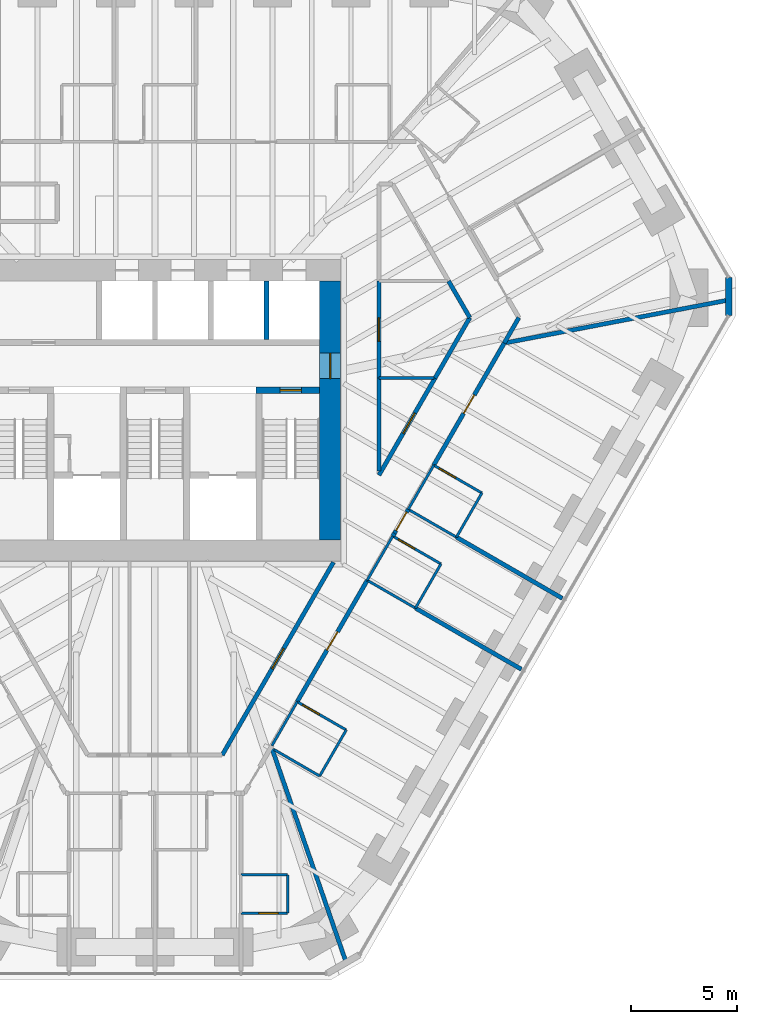
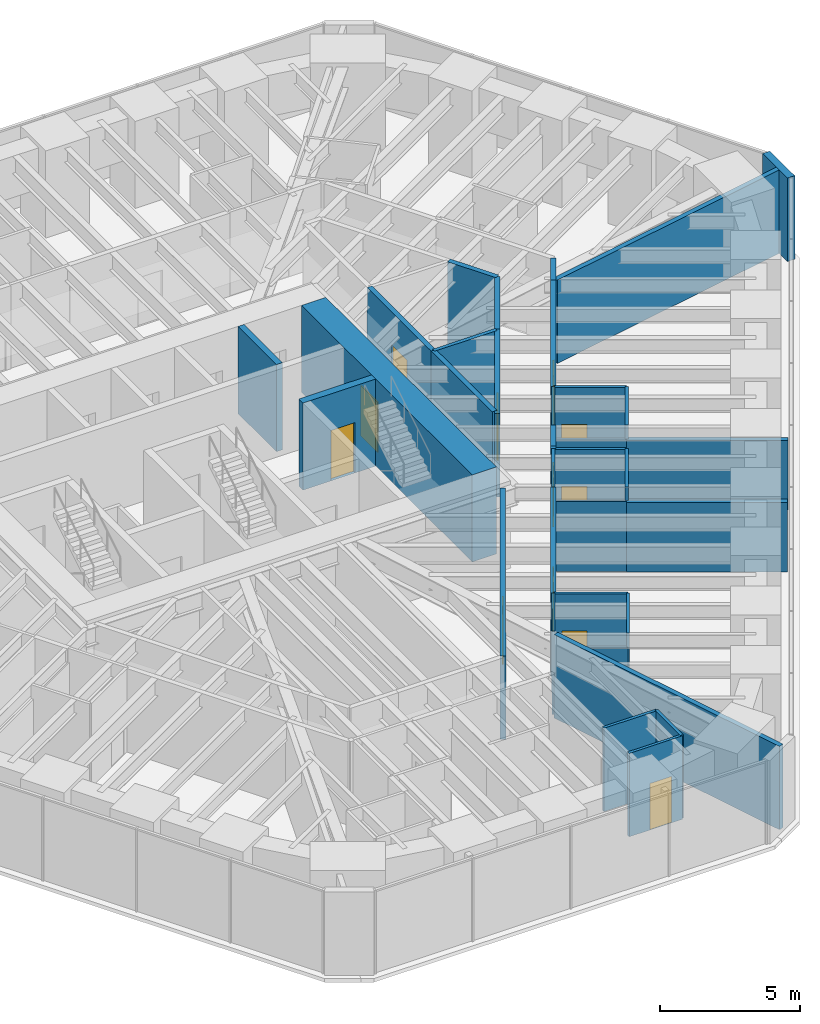
# One storey, part 13 of 16: 35 walls, 12 doors, 12 openings.
"""IFC4 building model written with IfcOpenShell, lengths in metres."""

from ifc_helpers import new_model, si_unit, direction, frame, frame_2d, origin, place, context, subcontext, project, spatial, rectangle, extrude, material, layer, layer_set, type_object, element, fill, save


model = new_model("IFC4")

# Units and contexts
model_context = context("Model", 3, precision=1e-05, world=origin(), true_north=direction((0.0, 1.0)))
body_context = subcontext(model_context, "Body", "Model", "MODEL_VIEW")
ifc_project = project(units=[si_unit("LENGTHUNIT", "METRE"), si_unit("AREAUNIT", "SQUARE_METRE"), si_unit("VOLUMEUNIT", "CUBIC_METRE"), si_unit("PLANEANGLEUNIT", "RADIAN"), si_unit("MASSUNIT", "GRAM", prefix="KILO")], contexts=[model_context])

# Site, building, storey
site_placement = place(None, origin())
site = spatial("IfcSite", under=ifc_project, at=site_placement, CompositionType="ELEMENT")
building_placement = place(site_placement, origin())
building = spatial("IfcBuilding", under=site, at=building_placement, Name="Sandreach Pilgrim Tower", CompositionType="ELEMENT")
storey_placement = place(building_placement, frame((0.0, 0.0, 183.199951171875)))
storey = spatial("IfcBuildingStorey", under=building, at=storey_placement, Name="L45", CompositionType="ELEMENT", Elevation=183.199951171875)

# Wall
ifc_material_1 = material(Name="Gypsum board on steel studs", Category="steel")
ifc_layer_1 = layer(ifc_material_1, 0.14990234375)
ifc_layer_set_1 = layer_set([ifc_layer_1], Name="Back of house wall 150")
wall_type_1 = type_object("IfcWallType", Name="Back of house wall 150", PredefinedType="PARTITIONING", material=ifc_layer_set_1)
wall_1_placement = place(storey_placement, frame((10.550048828125, 1.52001953125, 0.0), z_axis=(0.0, 0.0, 1.0), x_axis=(1.0, 0.0, 0.0)))
element("IfcWall", 1, at=wall_1_placement, inside=storey, type_object=wall_type_1, Name="Back of house wall L45-108", PredefinedType="PARTITIONING", context=body_context, shape_type="SweptSolid", body=[
    extrude(rectangle(XDim=2.5849609375, YDim=0.14990234375, at=frame_2d((1.29248046875, 0.0))), origin(), (0.0, 0.0, 1.0), 3.64013671875),
])

# Wall, opening, door
ifc_material_2 = material(Name="Moisture-resistant gypsum board on steel studs", Category="steel")
ifc_layer_2 = layer(ifc_material_2, 0.1201171875)
ifc_layer_set_2 = layer_set([ifc_layer_2], Name="Bathroom partition 120")
wall_type_2 = type_object("IfcWallType", Name="Bathroom partition 120", PredefinedType="PARTITIONING", material=ifc_layer_set_2)
wall_2_placement = place(storey_placement, frame((4.050048828125, -23.679931640625, 0.0), z_axis=(0.0, 0.0, 1.0), x_axis=(1.0, 0.0, 0.0)))
wall_2 = element("IfcWall", 2, at=wall_2_placement, inside=storey, type_object=wall_type_2, Name="Bathroom partition L45-089", PredefinedType="PARTITIONING", context=body_context, shape_type="SweptSolid", body=[
    extrude(rectangle(XDim=2.199951171875, YDim=0.1201171875, at=frame_2d((1.10009765625, 0.0))), origin(), (0.0, 0.0, 1.0), 3.64013671875),
])
opening_1_placement = place(wall_2_placement, frame((0.85009765625, 0.0, 0.0)))
opening_1 = element("IfcOpeningElement", 3, at=opening_1_placement, cuts=wall_2, Name="Opening D09-09B", PredefinedType="OPENING", context=body_context, shape_type="SweptSolid", body=[
    extrude(rectangle(XDim=0.89990234375, YDim=2.030029296875, at=frame_2d((0.449951171875, 1.01513671875))), frame((0.0, 0.06005859375, 0.0), z_axis=(0.0, -1.0, 0.0), x_axis=(1.0, 0.0, 0.0)), (0.0, 0.0, 1.0), 0.1201171875),
])
ifc_material_3 = material(Name="Timber door, steel frame", Category="steel")
door_type_1 = type_object("IfcDoorType", Name="Bathroom door", OperationType="SINGLE_SWING_LEFT", PredefinedType="DOOR", material=ifc_material_3)
door_1_placement = place(opening_1_placement, origin())
door_1 = element("IfcDoor", 4, at=door_1_placement, inside=storey, type_object=door_type_1, Name="Door 4509B", OperationType="SINGLE_SWING_RIGHT", OverallHeight=2.030029296875, OverallWidth=0.89990234375, PredefinedType="DOOR", context=body_context, shape_type="SweptSolid", body=[
    extrude(rectangle(XDim=0.89990234375, YDim=2.030029296875, at=frame_2d((0.449951171875, 1.01513671875))), frame((0.0, 0.02490234375, 0.0), z_axis=(0.0, -1.0, 0.0), x_axis=(1.0, 0.0, 0.0)), (0.0, 0.0, 1.0), 0.050048828125),
])
fill(opening_1, door_1)

# Walls
wall_3_placement = place(storey_placement, frame((5.510009765625, -15.7900390625, 0.0), z_axis=(0.0, 0.0, 1.0), x_axis=(0.49836161924, 0.866969259241, 0.0)))
element("IfcWall", 5, at=wall_3_placement, inside=storey, type_object=wall_type_2, Name="Bathroom partition L45-093", PredefinedType="PARTITIONING", context=body_context, shape_type="SweptSolid", body=[
    extrude(rectangle(XDim=2.3876953125, YDim=0.1201171875, at=frame_2d((1.19384765625, 0.0))), origin(), (0.0, 0.0, 1.0), 3.64013671875),
])
wall_4_placement = place(storey_placement, frame((5.615234375, -15.97509765625, 0.0), z_axis=(0.0, 0.0, 1.0), x_axis=(0.864873056518, -0.501990633487, 0.0)))
element("IfcWall", 6, at=wall_4_placement, inside=storey, type_object=wall_type_2, Name="Bathroom partition L45-095", PredefinedType="PARTITIONING", context=body_context, shape_type="SweptSolid", body=[
    extrude(rectangle(XDim=2.47998046875, YDim=0.1201171875, at=frame_2d((1.239990234375, 0.0))), origin(), (0.0, 0.0, 1.0), 3.0380859375),
])
wall_5_placement = place(storey_placement, frame((6.25, -23.679931640625, 0.0), z_axis=(0.0, 0.0, 1.0), x_axis=(0.0, 1.0, 0.0)))
element("IfcWall", 7, at=wall_5_placement, inside=storey, type_object=wall_type_2, Name="Bathroom partition L45-096", PredefinedType="PARTITIONING", context=body_context, shape_type="SweptSolid", body=[
    extrude(rectangle(XDim=1.809814453125, YDim=0.1201171875, at=frame_2d((0.90478515625, 0.0))), origin(), (0.0, 0.0, 1.0), 3.64013671875),
])
wall_6_placement = place(storey_placement, frame((6.25, -21.8701171875, 0.0), z_axis=(0.0, 0.0, 1.0), x_axis=(-1.0, 0.0, 0.0)))
element("IfcWall", 8, at=wall_6_placement, inside=storey, type_object=wall_type_2, Name="Bathroom partition L45-097", PredefinedType="PARTITIONING", context=body_context, shape_type="SweptSolid", body=[
    extrude(rectangle(XDim=2.199951171875, YDim=0.1201171875, at=frame_2d((1.10009765625, 0.0))), origin(), (0.0, 0.0, 1.0), 3.64013671875),
])
wall_7_placement = place(storey_placement, frame((7.760009765625, -17.219970703125, 0.0), z_axis=(0.0, 0.0, 1.0), x_axis=(0.499159685399, 0.866510016372, 0.0)))
element("IfcWall", 9, at=wall_7_placement, inside=storey, type_object=wall_type_2, Name="Bathroom partition L45-099", PredefinedType="PARTITIONING", context=body_context, shape_type="SweptSolid", body=[
    extrude(rectangle(XDim=2.504150390625, YDim=0.1201171875, at=frame_2d((1.251953125, 0.0))), origin(), (0.0, 0.0, 1.0), 3.64013671875),
])

# Wall, opening, door
wall_8_placement = place(storey_placement, frame((9.010009765625, -15.050048828125, 0.0), z_axis=(0.0, 0.0, 1.0), x_axis=(-0.866615255992, 0.498976951453, 0.0)))
wall_8 = element("IfcWall", 10, at=wall_8_placement, inside=storey, type_object=wall_type_2, Name="Bathroom partition L45-103", PredefinedType="PARTITIONING", context=body_context, shape_type="SweptSolid", body=[
    extrude(rectangle(XDim=2.66552734375, YDim=0.1201171875, at=frame_2d((1.332763671875, 0.0))), origin(), (0.0, 0.0, 1.0), 3.64013671875),
])
opening_2_placement = place(wall_8_placement, frame((1.465576171875, 0.0, 0.0)))
opening_2 = element("IfcOpeningElement", 11, at=opening_2_placement, cuts=wall_8, Name="Opening D09-08B", PredefinedType="OPENING", context=body_context, shape_type="SweptSolid", body=[
    extrude(rectangle(XDim=0.89990234375, YDim=2.030029296875, at=frame_2d((0.449951171875, 1.01513671875))), frame((0.0, 0.06005859375, 0.0), z_axis=(0.0, -1.0, 0.0), x_axis=(1.0, 0.0, 0.0)), (0.0, 0.0, 1.0), 0.1201171875),
])
door_2_placement = place(opening_2_placement, origin())
door_2 = element("IfcDoor", 12, at=door_2_placement, inside=storey, type_object=door_type_1, Name="Door 4508B", OperationType="SINGLE_SWING_RIGHT", OverallHeight=2.030029296875, OverallWidth=0.89990234375, PredefinedType="DOOR", context=body_context, shape_type="SweptSolid", body=[
    extrude(rectangle(XDim=0.89990234375, YDim=2.030029296875, at=frame_2d((0.449951171875, 1.01513671875))), frame((0.0, 0.02490234375, 0.0), z_axis=(0.0, -1.0, 0.0), x_axis=(1.0, 0.0, 0.0)), (0.0, 0.0, 1.0), 0.050048828125),
])
fill(opening_2, door_2)

# Walls
wall_9_placement = place(storey_placement, frame((9.996337890625, -7.998046875, 0.0), z_axis=(0.0, 0.0, 1.0), x_axis=(0.501188543314, 0.865338109672, 0.0)))
element("IfcWall", 13, at=wall_9_placement, inside=storey, type_object=wall_type_2, Name="Bathroom partition L45-104", PredefinedType="PARTITIONING", context=body_context, shape_type="SweptSolid", body=[
    extrude(rectangle(XDim=2.401611328125, YDim=0.1201171875, at=frame_2d((1.20068359375, 0.0))), origin(), (0.0, 0.0, 1.0), 3.64013671875),
])
wall_10_placement = place(storey_placement, frame((10.0, -8.0, 0.0), z_axis=(0.0, 0.0, 1.0), x_axis=(0.866010296064, -0.500026166427, 0.0)))
element("IfcWall", 14, at=wall_10_placement, inside=storey, type_object=wall_type_2, Name="Bathroom partition L45-105", PredefinedType="PARTITIONING", context=body_context, shape_type="SweptSolid", body=[
    extrude(rectangle(XDim=2.620849609375, YDim=0.1201171875, at=frame_2d((1.310546875, 0.0))), origin(), (0.0, 0.0, 1.0), 3.0380859375),
])
wall_11_placement = place(storey_placement, frame((11.929931640625, -4.659912109375, 0.0), z_axis=(0.0, 0.0, 1.0), x_axis=(0.499737123639, 0.866177122335, 0.0)))
element("IfcWall", 15, at=wall_11_placement, inside=storey, type_object=wall_type_2, Name="Bathroom partition L45-121", PredefinedType="PARTITIONING", context=body_context, shape_type="SweptSolid", body=[
    extrude(rectangle(XDim=2.401123046875, YDim=0.1201171875, at=frame_2d((1.20068359375, 0.0))), origin(), (0.0, 0.0, 1.0), 3.64013671875),
])
wall_12_placement = place(storey_placement, frame((11.929931640625, -4.659912109375, 0.0), z_axis=(0.0, 0.0, 1.0), x_axis=(0.865969958829, -0.500096021185, 0.0)))
element("IfcWall", 16, at=wall_12_placement, inside=storey, type_object=wall_type_2, Name="Bathroom partition L45-122", PredefinedType="PARTITIONING", context=body_context, shape_type="SweptSolid", body=[
    extrude(rectangle(XDim=2.62109375, YDim=0.1201171875, at=frame_2d((1.310546875, 0.0))), origin(), (0.0, 0.0, 1.0), 3.0380859375),
])
wall_13_placement = place(storey_placement, frame((12.27001953125, -9.31005859375, 0.0), z_axis=(0.0, 0.0, 1.0), x_axis=(0.499693115345, 0.866202511239, 0.0)))
element("IfcWall", 17, at=wall_13_placement, inside=storey, type_object=wall_type_2, Name="Bathroom partition L45-124", PredefinedType="PARTITIONING", context=body_context, shape_type="SweptSolid", body=[
    extrude(rectangle(XDim=2.4013671875, YDim=0.1201171875, at=frame_2d((1.20068359375, 0.0))), origin(), (0.0, 0.0, 1.0), 3.64013671875),
])

# Wall, opening, door
wall_14_placement = place(storey_placement, frame((13.469970703125, -7.22998046875, 0.0), z_axis=(0.0, 0.0, 1.0), x_axis=(-0.866114241029, 0.499846097802, 0.0)))
wall_14 = element("IfcWall", 18, at=wall_14_placement, inside=storey, type_object=wall_type_2, Name="Bathroom partition L45-129", PredefinedType="PARTITIONING", context=body_context, shape_type="SweptSolid", body=[
    extrude(rectangle(XDim=2.620849609375, YDim=0.1201171875, at=frame_2d((1.310546875, 0.0))), origin(), (0.0, 0.0, 1.0), 3.64013671875),
])
opening_3_placement = place(wall_14_placement, frame((1.4208984375, 0.0, 0.0)))
opening_3 = element("IfcOpeningElement", 19, at=opening_3_placement, cuts=wall_14, Name="Opening D09-07B", PredefinedType="OPENING", context=body_context, shape_type="SweptSolid", body=[
    extrude(rectangle(XDim=0.89990234375, YDim=2.030029296875, at=frame_2d((0.449951171875, 1.01513671875))), frame((0.0, 0.06005859375, 0.0), z_axis=(0.0, -1.0, 0.0), x_axis=(1.0, 0.0, 0.0)), (0.0, 0.0, 1.0), 0.1201171875),
])
door_3_placement = place(opening_3_placement, origin())
door_3 = element("IfcDoor", 20, at=door_3_placement, inside=storey, type_object=door_type_1, Name="Door 4507B", OperationType="SINGLE_SWING_RIGHT", OverallHeight=2.030029296875, OverallWidth=0.89990234375, PredefinedType="DOOR", context=body_context, shape_type="SweptSolid", body=[
    extrude(rectangle(XDim=0.89990234375, YDim=2.030029296875, at=frame_2d((0.449951171875, 1.01513671875))), frame((0.0, 0.02490234375, 0.0), z_axis=(0.0, -1.0, 0.0), x_axis=(1.0, 0.0, 0.0)), (0.0, 0.0, 1.0), 0.050048828125),
])
fill(opening_3, door_3)

# Wall
wall_15_placement = place(storey_placement, frame((14.199951171875, -5.969970703125, 0.0), z_axis=(0.0, 0.0, 1.0), x_axis=(0.499737123639, 0.866177122335, 0.0)))
element("IfcWall", 21, at=wall_15_placement, inside=storey, type_object=wall_type_2, Name="Bathroom partition L45-134", PredefinedType="PARTITIONING", context=body_context, shape_type="SweptSolid", body=[
    extrude(rectangle(XDim=2.401123046875, YDim=0.1201171875, at=frame_2d((1.20068359375, 0.0))), origin(), (0.0, 0.0, 1.0), 3.64013671875),
])

# Wall, opening, door
wall_16_placement = place(storey_placement, frame((15.39990234375, -3.889892578125, 0.0), z_axis=(0.0, 0.0, 1.0), x_axis=(-0.866154567199, 0.49977621564, 0.0)))
wall_16 = element("IfcWall", 22, at=wall_16_placement, inside=storey, type_object=wall_type_2, Name="Bathroom partition L45-140", PredefinedType="PARTITIONING", context=body_context, shape_type="SweptSolid", body=[
    extrude(rectangle(XDim=2.620849609375, YDim=0.1201171875, at=frame_2d((1.310546875, 0.0))), origin(), (0.0, 0.0, 1.0), 3.64013671875),
])
opening_4_placement = place(wall_16_placement, frame((1.4208984375, 0.0, 0.0)))
opening_4 = element("IfcOpeningElement", 23, at=opening_4_placement, cuts=wall_16, Name="Opening D09-06B", PredefinedType="OPENING", context=body_context, shape_type="SweptSolid", body=[
    extrude(rectangle(XDim=0.89990234375, YDim=2.030029296875, at=frame_2d((0.449951171875, 1.01513671875))), frame((0.0, 0.06005859375, 0.0), z_axis=(0.0, -1.0, 0.0), x_axis=(1.0, 0.0, 0.0)), (0.0, 0.0, 1.0), 0.1201171875),
])
door_4_placement = place(opening_4_placement, origin())
door_4 = element("IfcDoor", 24, at=door_4_placement, inside=storey, type_object=door_type_1, Name="Door 4506B", OperationType="SINGLE_SWING_RIGHT", OverallHeight=2.030029296875, OverallWidth=0.89990234375, PredefinedType="DOOR", context=body_context, shape_type="SweptSolid", body=[
    extrude(rectangle(XDim=0.89990234375, YDim=2.030029296875, at=frame_2d((0.449951171875, 1.01513671875))), frame((0.0, 0.02490234375, 0.0), z_axis=(0.0, -1.0, 0.0), x_axis=(1.0, 0.0, 0.0)), (0.0, 0.0, 1.0), 0.050048828125),
])
fill(opening_4, door_4)

ifc_material_4 = material(Name="Concrete 10000 psi", Category="concrete")
ifc_layer_3 = layer(ifc_material_4, 0.300048828125)
ifc_layer_set_3 = layer_set([ifc_layer_3], Name="Core inner wall 300")
wall_type_3 = type_object("IfcWallType", Name="Core inner wall 300", PredefinedType="SHEAR", material=ifc_layer_set_3)
wall_17_placement = place(storey_placement, frame((4.75, 0.949951171875, 0.0), z_axis=(0.0, 0.0, 1.0), x_axis=(1.0, 0.0, 0.0)))
wall_17 = element("IfcWall", 25, at=wall_17_placement, inside=storey, type_object=wall_type_3, Name="Core wall SN2 L45", PredefinedType="SHEAR", context=body_context, shape_type="SweptSolid", body=[
    extrude(rectangle(XDim=3.0, YDim=0.300048828125, at=frame_2d((1.5, 0.0))), origin(), (0.0, 0.0, 1.0), 3.800048828125),
])
opening_5_placement = place(wall_17_placement, frame((1.14990234375, 0.0, 0.0)))
opening_5 = element("IfcOpeningElement", 26, at=opening_5_placement, cuts=wall_17, Name="Opening D10S-ST2", PredefinedType="OPENING", context=body_context, shape_type="SweptSolid", body=[
    extrude(rectangle(XDim=1.0, YDim=2.199951171875, at=frame_2d((0.5, 1.10009765625))), frame((0.0, 0.14990234375, 0.0), z_axis=(0.0, -1.0, 0.0), x_axis=(1.0, 0.0, 0.0)), (0.0, 0.0, 1.0), 0.300048828125),
])
ifc_material_5 = material(Name="Steel door and frame", Category="steel")
door_type_2 = type_object("IfcDoorType", Name="Stair door", OperationType="SINGLE_SWING_LEFT", PredefinedType="DOOR", material=ifc_material_5)
door_5_placement = place(opening_5_placement, origin())
door_5 = element("IfcDoor", 27, at=door_5_placement, inside=storey, type_object=door_type_2, Name="Stair door ST2 L45", OperationType="SINGLE_SWING_RIGHT", OverallHeight=2.199951171875, OverallWidth=1.0, PredefinedType="DOOR", context=body_context, shape_type="SweptSolid", body=[
    extrude(rectangle(XDim=1.0, YDim=2.199951171875, at=frame_2d((0.5, 1.10009765625))), frame((0.0, 0.02490234375, 0.0), z_axis=(0.0, -1.0, 0.0), x_axis=(1.0, 0.0, 0.0)), (0.0, 0.0, 1.0), 0.050048828125),
])
fill(opening_5, door_5)

ifc_material_6 = material(Name="Concrete 10000 psi", Category="concrete")
ifc_layer_4 = layer(ifc_material_6, 1.0)
ifc_layer_set_4 = layer_set([ifc_layer_4], Name="Core wall 1000")
wall_type_4 = type_object("IfcWallType", Name="Core wall 1000", PredefinedType="SHEAR", material=ifc_layer_set_4)
wall_18_placement = place(storey_placement, frame((8.25, -6.10009765625, 0.0), z_axis=(0.0, 0.0, 1.0), x_axis=(0.0, 1.0, 0.0)))
wall_18 = element("IfcWall", 28, at=wall_18_placement, inside=storey, type_object=wall_type_4, Name="Core wall E L45", PredefinedType="SHEAR", context=body_context, shape_type="SweptSolid", body=[
    extrude(rectangle(XDim=12.2001953125, YDim=1.0, at=frame_2d((6.10009765625, 0.0))), origin(), (0.0, 0.0, 1.0), 3.800048828125),
])
opening_6_placement = place(wall_18_placement, frame((7.60009765625, 0.0, 0.0)))
opening_6 = element("IfcOpeningElement", 29, at=opening_6_placement, cuts=wall_18, Name="Opening D12F-E", PredefinedType="OPENING", context=body_context, shape_type="SweptSolid", body=[
    extrude(rectangle(XDim=1.199951171875, YDim=2.199951171875, at=frame_2d((0.60009765625, 1.10009765625))), frame((0.0, 0.5, 0.0), z_axis=(0.0, -1.0, 0.0), x_axis=(1.0, 0.0, 0.0)), (0.0, 0.0, 1.0), 1.0),
])
ifc_material_7 = material(Name="Steel door and frame", Category="steel")
door_type_3 = type_object("IfcDoorType", Name="Fire lobby door", OperationType="SINGLE_SWING_LEFT", PredefinedType="DOOR", material=ifc_material_7)
door_6_placement = place(opening_6_placement, origin())
door_6 = element("IfcDoor", 30, at=door_6_placement, inside=storey, type_object=door_type_3, Name="Fire service lobby door E L45", OperationType="SINGLE_SWING_RIGHT", OverallHeight=2.199951171875, OverallWidth=1.199951171875, PredefinedType="DOOR", context=body_context, shape_type="SweptSolid", body=[
    extrude(rectangle(XDim=1.199951171875, YDim=2.199951171875, at=frame_2d((0.60009765625, 1.10009765625))), frame((0.0, 0.02490234375, 0.0), z_axis=(0.0, -1.0, 0.0), x_axis=(1.0, 0.0, 0.0)), (0.0, 0.0, 1.0), 0.050048828125),
])
fill(opening_6, door_6)

ifc_material_8 = material(Name="Gypsum board on steel studs, two layers each side", Category="steel")
ifc_layer_5 = layer(ifc_material_8, 0.199951171875)
ifc_layer_set_5 = layer_set([ifc_layer_5], Name="Corridor wall 200")
wall_type_5 = type_object("IfcWallType", Name="Corridor wall 200", PredefinedType="PARTITIONING", material=ifc_layer_set_5)
wall_19_placement = place(storey_placement, frame((6.699951171875, -13.719970703125, 0.0), z_axis=(0.0, 0.0, 1.0), x_axis=(0.499729921425, 0.866181277581, 0.0)))
wall_19 = element("IfcWall", 31, at=wall_19_placement, inside=storey, type_object=wall_type_5, Name="Corridor wall L45-098", PredefinedType="PARTITIONING", context=body_context, shape_type="SweptSolid", body=[
    extrude(rectangle(XDim=6.603759765625, YDim=0.199951171875, at=frame_2d((3.3017578125, 0.0))), origin(), (0.0, 0.0, 1.0), 3.64013671875),
])
opening_7_placement = place(wall_19_placement, frame((2.8017578125, 0.0, 0.0)))
opening_7 = element("IfcOpeningElement", 32, at=opening_7_placement, cuts=wall_19, Name="Opening D10-08", PredefinedType="OPENING", context=body_context, shape_type="SweptSolid", body=[
    extrude(rectangle(XDim=1.0, YDim=2.1298828125, at=frame_2d((0.5, 1.06494140625))), frame((0.0, 0.10009765625, 0.0), z_axis=(0.0, -1.0, 0.0), x_axis=(1.0, 0.0, 0.0)), (0.0, 0.0, 1.0), 0.199951171875),
])
ifc_material_9 = material(Name="Steel door and frame", Category="steel")
door_type_4 = type_object("IfcDoorType", Name="Guest room entry door", OperationType="SINGLE_SWING_LEFT", PredefinedType="DOOR", material=ifc_material_9)
door_7_placement = place(opening_7_placement, origin())
door_7 = element("IfcDoor", 33, at=door_7_placement, inside=storey, type_object=door_type_4, Name="Door 4508", OperationType="SINGLE_SWING_LEFT", OverallHeight=2.1298828125, OverallWidth=1.0, PredefinedType="DOOR", context=body_context, shape_type="SweptSolid", body=[
    extrude(rectangle(XDim=1.0, YDim=2.1298828125, at=frame_2d((0.5, 1.06494140625))), frame((0.0, 0.02490234375, 0.0), z_axis=(0.0, -1.0, 0.0), x_axis=(1.0, 0.0, 0.0)), (0.0, 0.0, 1.0), 0.050048828125),
])
fill(opening_7, door_7)

wall_20_placement = place(storey_placement, frame((8.409912109375, -7.14990234375, 0.0), z_axis=(0.0, 0.0, 1.0), x_axis=(-0.499828628176, -0.866124322748, 0.0)))
wall_20 = element("IfcWall", 34, at=wall_20_placement, inside=storey, type_object=wall_type_5, Name="Corridor wall L45-100", PredefinedType="PARTITIONING", context=body_context, shape_type="SweptSolid", body=[
    extrude(rectangle(XDim=10.483642578125, YDim=0.199951171875, at=frame_2d((5.24169921875, 0.0))), origin(), (0.0, 0.0, 1.0), 3.64013671875),
])
opening_8_placement = place(wall_20_placement, frame((4.691650390625, 0.0, 0.0)))
opening_8 = element("IfcOpeningElement", 35, at=opening_8_placement, cuts=wall_20, Name="Opening D11H-S4", PredefinedType="OPENING", context=body_context, shape_type="SweptSolid", body=[
    extrude(rectangle(XDim=1.10009765625, YDim=2.199951171875, at=frame_2d((0.550048828125, 1.10009765625))), frame((0.0, 0.10009765625, 0.0), z_axis=(0.0, -1.0, 0.0), x_axis=(1.0, 0.0, 0.0)), (0.0, 0.0, 1.0), 0.199951171875),
])
ifc_material_10 = material(Name="Steel door and frame", Category="steel")
door_type_5 = type_object("IfcDoorType", Name="Back of house door", OperationType="SINGLE_SWING_LEFT", PredefinedType="DOOR", material=ifc_material_10)
door_8_placement = place(opening_8_placement, origin())
door_8 = element("IfcDoor", 36, at=door_8_placement, inside=storey, type_object=door_type_5, Name="Door 45S4", OperationType="SINGLE_SWING_LEFT", OverallHeight=2.199951171875, OverallWidth=1.10009765625, PredefinedType="DOOR", context=body_context, shape_type="SweptSolid", body=[
    extrude(rectangle(XDim=1.10009765625, YDim=2.199951171875, at=frame_2d((0.550048828125, 1.10009765625))), frame((0.0, 0.02490234375, 0.0), z_axis=(0.0, -1.0, 0.0), x_axis=(1.0, 0.0, 0.0)), (0.0, 0.0, 1.0), 0.050048828125),
])
fill(opening_8, door_8)

# Wall
wall_21_placement = place(storey_placement, frame((10.550048828125, -2.85498046875, 0.0), z_axis=(0.0, 0.0, 1.0), x_axis=(0.0, 1.0, 0.0)))
element("IfcWall", 37, at=wall_21_placement, inside=storey, type_object=wall_type_5, Name="Corridor wall L45-106", PredefinedType="PARTITIONING", context=body_context, shape_type="SweptSolid", body=[
    extrude(rectangle(XDim=4.375, YDim=0.199951171875, at=frame_2d((2.1875, 0.0))), origin(), (0.0, 0.0, 1.0), 3.64013671875),
])

# Wall, opening, door
wall_22_placement = place(storey_placement, frame((10.550048828125, 1.52001953125, 0.0), z_axis=(0.0, 0.0, 1.0), x_axis=(0.0, 1.0, 0.0)))
wall_22 = element("IfcWall", 38, at=wall_22_placement, inside=storey, type_object=wall_type_5, Name="Corridor wall L45-107", PredefinedType="PARTITIONING", context=body_context, shape_type="SweptSolid", body=[
    extrude(rectangle(XDim=4.570068359375, YDim=0.199951171875, at=frame_2d((2.28515625, 0.0))), origin(), (0.0, 0.0, 1.0), 3.64013671875),
])
opening_9_placement = place(wall_22_placement, frame((1.735107421875, 0.0, 0.0)))
opening_9 = element("IfcOpeningElement", 39, at=opening_9_placement, cuts=wall_22, Name="Opening D11H-M06", PredefinedType="OPENING", context=body_context, shape_type="SweptSolid", body=[
    extrude(rectangle(XDim=1.10009765625, YDim=2.199951171875, at=frame_2d((0.550048828125, 1.10009765625))), frame((0.0, 0.10009765625, 0.0), z_axis=(0.0, -1.0, 0.0), x_axis=(1.0, 0.0, 0.0)), (0.0, 0.0, 1.0), 0.199951171875),
])
door_9_placement = place(opening_9_placement, origin())
door_9 = element("IfcDoor", 40, at=door_9_placement, inside=storey, type_object=door_type_5, Name="Door 45M06", OperationType="SINGLE_SWING_LEFT", OverallHeight=2.199951171875, OverallWidth=1.10009765625, PredefinedType="DOOR", context=body_context, shape_type="SweptSolid", body=[
    extrude(rectangle(XDim=1.10009765625, YDim=2.199951171875, at=frame_2d((0.550048828125, 1.10009765625))), frame((0.0, 0.02490234375, 0.0), z_axis=(0.0, -1.0, 0.0), x_axis=(1.0, 0.0, 0.0)), (0.0, 0.0, 1.0), 0.050048828125),
])
fill(opening_9, door_9)

# Wall
wall_23_placement = place(storey_placement, frame((11.199951171875, -5.919921875, 0.0), z_axis=(0.0, 0.0, 1.0), x_axis=(0.524811420021, 0.851218522717, 0.0)))
element("IfcWall", 41, at=wall_23_placement, inside=storey, type_object=wall_type_5, Name="Corridor wall L45-117", PredefinedType="PARTITIONING", context=body_context, shape_type="SweptSolid", body=[
    extrude(rectangle(XDim=0.152587890625, YDim=0.199951171875, at=frame_2d((0.076171875, 0.0))), origin(), (0.0, 0.0, 1.0), 3.64013671875),
])

# Wall, opening, door
wall_24_placement = place(storey_placement, frame((11.280029296875, -5.7900390625, 0.0), z_axis=(0.0, 0.0, 1.0), x_axis=(0.498516863914, 0.866880001149, 0.0)))
wall_24 = element("IfcWall", 42, at=wall_24_placement, inside=storey, type_object=wall_type_5, Name="Corridor wall L45-118", PredefinedType="PARTITIONING", context=body_context, shape_type="SweptSolid", body=[
    extrude(rectangle(XDim=1.3037109375, YDim=0.199951171875, at=frame_2d((0.65185546875, 0.0))), origin(), (0.0, 0.0, 1.0), 3.64013671875),
])
opening_10_placement = place(wall_24_placement, frame((0.15185546875, 0.0, 0.0)))
opening_10 = element("IfcOpeningElement", 43, at=opening_10_placement, cuts=wall_24, Name="Opening D10-07", PredefinedType="OPENING", context=body_context, shape_type="SweptSolid", body=[
    extrude(rectangle(XDim=1.0, YDim=2.1298828125, at=frame_2d((0.5, 1.06494140625))), frame((0.0, 0.10009765625, 0.0), z_axis=(0.0, -1.0, 0.0), x_axis=(1.0, 0.0, 0.0)), (0.0, 0.0, 1.0), 0.199951171875),
])
door_10_placement = place(opening_10_placement, origin())
door_10 = element("IfcDoor", 44, at=door_10_placement, inside=storey, type_object=door_type_4, Name="Door 4507", OperationType="SINGLE_SWING_LEFT", OverallHeight=2.1298828125, OverallWidth=1.0, PredefinedType="DOOR", context=body_context, shape_type="SweptSolid", body=[
    extrude(rectangle(XDim=1.0, YDim=2.1298828125, at=frame_2d((0.5, 1.06494140625))), frame((0.0, 0.02490234375, 0.0), z_axis=(0.0, -1.0, 0.0), x_axis=(1.0, 0.0, 0.0)), (0.0, 0.0, 1.0), 0.050048828125),
])
fill(opening_10, door_10)

wall_25_placement = place(storey_placement, frame((13.1298828125, -2.580078125, 0.0), z_axis=(0.0, 0.0, 1.0), x_axis=(0.500034373799, 0.866005557153, 0.0)))
wall_25 = element("IfcWall", 45, at=wall_25_placement, inside=storey, type_object=wall_type_5, Name="Corridor wall L45-127", PredefinedType="PARTITIONING", context=body_context, shape_type="SweptSolid", body=[
    extrude(rectangle(XDim=6.6396484375, YDim=0.199951171875, at=frame_2d((3.31982421875, 0.0))), origin(), (0.0, 0.0, 1.0), 3.64013671875),
])
opening_11_placement = place(wall_25_placement, frame((2.81982421875, 0.0, 0.0)))
opening_11 = element("IfcOpeningElement", 46, at=opening_11_placement, cuts=wall_25, Name="Opening D10-06", PredefinedType="OPENING", context=body_context, shape_type="SweptSolid", body=[
    extrude(rectangle(XDim=1.0, YDim=2.1298828125, at=frame_2d((0.5, 1.06494140625))), frame((0.0, 0.10009765625, 0.0), z_axis=(0.0, -1.0, 0.0), x_axis=(1.0, 0.0, 0.0)), (0.0, 0.0, 1.0), 0.199951171875),
])
door_11_placement = place(opening_11_placement, origin())
door_11 = element("IfcDoor", 47, at=door_11_placement, inside=storey, type_object=door_type_4, Name="Door 4506", OperationType="SINGLE_SWING_LEFT", OverallHeight=2.1298828125, OverallWidth=1.0, PredefinedType="DOOR", context=body_context, shape_type="SweptSolid", body=[
    extrude(rectangle(XDim=1.0, YDim=2.1298828125, at=frame_2d((0.5, 1.06494140625))), frame((0.0, 0.02490234375, 0.0), z_axis=(0.0, -1.0, 0.0), x_axis=(1.0, 0.0, 0.0)), (0.0, 0.0, 1.0), 0.050048828125),
])
fill(opening_11, door_11)

wall_26_placement = place(storey_placement, frame((13.18994140625, 1.52001953125, 0.0), z_axis=(0.0, 0.0, 1.0), x_axis=(-0.500193590286, -0.865913605527, 0.0)))
wall_26 = element("IfcWall", 48, at=wall_26_placement, inside=storey, type_object=wall_type_5, Name="Corridor wall L45-128", PredefinedType="PARTITIONING", context=body_context, shape_type="SweptSolid", body=[
    extrude(rectangle(XDim=5.27783203125, YDim=0.199951171875, at=frame_2d((2.638916015625, 0.0))), origin(), (0.0, 0.0, 1.0), 3.64013671875),
])
opening_12_placement = place(wall_26_placement, frame((1.89990234375, 0.0, 0.0)))
opening_12 = element("IfcOpeningElement", 49, at=opening_12_placement, cuts=wall_26, Name="Opening D11H-M04", PredefinedType="OPENING", context=body_context, shape_type="SweptSolid", body=[
    extrude(rectangle(XDim=1.10009765625, YDim=2.199951171875, at=frame_2d((0.550048828125, 1.10009765625))), frame((0.0, 0.10009765625, 0.0), z_axis=(0.0, -1.0, 0.0), x_axis=(1.0, 0.0, 0.0)), (0.0, 0.0, 1.0), 0.199951171875),
])
door_12_placement = place(opening_12_placement, origin())
door_12 = element("IfcDoor", 50, at=door_12_placement, inside=storey, type_object=door_type_5, Name="Door 45M04", OperationType="SINGLE_SWING_LEFT", OverallHeight=2.199951171875, OverallWidth=1.10009765625, PredefinedType="DOOR", context=body_context, shape_type="SweptSolid", body=[
    extrude(rectangle(XDim=1.10009765625, YDim=2.199951171875, at=frame_2d((0.550048828125, 1.10009765625))), frame((0.0, 0.02490234375, 0.0), z_axis=(0.0, -1.0, 0.0), x_axis=(1.0, 0.0, 0.0)), (0.0, 0.0, 1.0), 0.050048828125),
])
fill(opening_12, door_12)

# Walls
wall_27_placement = place(storey_placement, frame((13.830078125, 6.090087890625, 0.0), z_axis=(0.0, 0.0, 1.0), x_axis=(0.502573539539, -0.864534462792, 0.0)))
element("IfcWall", 51, at=wall_27_placement, inside=storey, type_object=wall_type_5, Name="Corridor wall L45-132", PredefinedType="PARTITIONING", context=body_context, shape_type="SweptSolid", body=[
    extrude(rectangle(XDim=1.98974609375, YDim=0.199951171875, at=frame_2d((0.994873046875, 0.0))), origin(), (0.0, 0.0, 1.0), 3.64013671875),
])
wall_28_placement = place(storey_placement, frame((14.830078125, 4.3701171875, 0.0), z_axis=(0.0, 0.0, 1.0), x_axis=(-0.498775186059, -0.866731396554, 0.0)))
element("IfcWall", 52, at=wall_28_placement, inside=storey, type_object=wall_type_5, Name="Corridor wall L45-136", PredefinedType="PARTITIONING", context=body_context, shape_type="SweptSolid", body=[
    extrude(rectangle(XDim=3.288330078125, YDim=0.199951171875, at=frame_2d((1.64404296875, 0.0))), origin(), (0.0, 0.0, 1.0), 3.64013671875),
])
wall_29_placement = place(storey_placement, frame((16.449951171875, 3.169921875, 0.0), z_axis=(0.0, 0.0, 1.0), x_axis=(0.49845455473, 0.866915830325, 0.0)))
element("IfcWall", 53, at=wall_29_placement, inside=storey, type_object=wall_type_5, Name="Corridor wall L45-142", PredefinedType="PARTITIONING", context=body_context, shape_type="SweptSolid", body=[
    extrude(rectangle(XDim=1.38427734375, YDim=0.199951171875, at=frame_2d((0.692138671875, 0.0))), origin(), (0.0, 0.0, 1.0), 3.64013671875),
])
ifc_material_11 = material(Name="Double steel stud acoustic wall, gypsum board", Category="steel")
ifc_layer_6 = layer(ifc_material_11, 0.199951171875)
ifc_layer_set_6 = layer_set([ifc_layer_6], Name="Party wall 200")
wall_type_6 = type_object("IfcWallType", Name="Party wall 200", PredefinedType="PARTITIONING", material=ifc_layer_set_6)
wall_30_placement = place(storey_placement, frame((5.52197265625, -15.950927734375, 0.0), z_axis=(0.0, 0.0, 1.0), x_axis=(0.327588517074, -0.944820492729, 0.0)))
element("IfcWall", 54, at=wall_30_placement, inside=storey, type_object=wall_type_6, Name="Party wall L45-094", PredefinedType="PARTITIONING", context=body_context, shape_type="SweptSolid", body=[
    extrude(rectangle(XDim=10.6484375, YDim=0.199951171875, at=frame_2d((5.32421875, 0.0))), origin(), (0.0, 0.0, 1.0), 3.64013671875),
])
wall_31_placement = place(storey_placement, frame((12.269775390625, -9.310546875, 0.0), z_axis=(0.0, 0.0, 1.0), x_axis=(0.865985044037, -0.500069898618, 0.0)))
element("IfcWall", 55, at=wall_31_placement, inside=storey, type_object=wall_type_6, Name="Party wall L45-123", PredefinedType="PARTITIONING", context=body_context, shape_type="SweptSolid", body=[
    extrude(rectangle(XDim=5.758056640625, YDim=0.199951171875, at=frame_2d((2.87890625, 0.0))), origin(), (0.0, 0.0, 1.0), 3.0380859375),
])
wall_32_placement = place(storey_placement, frame((14.19970703125, -5.970703125, 0.0), z_axis=(0.0, 0.0, 1.0), x_axis=(0.86600340545, -0.500038100297, 0.0)))
element("IfcWall", 56, at=wall_32_placement, inside=storey, type_object=wall_type_6, Name="Party wall L45-133", PredefinedType="PARTITIONING", context=body_context, shape_type="SweptSolid", body=[
    extrude(rectangle(XDim=5.7578125, YDim=0.199951171875, at=frame_2d((2.87890625, 0.0))), origin(), (0.0, 0.0, 1.0), 3.0380859375),
])
wall_33_placement = place(storey_placement, frame((27.04052734375, 5.204345703125, 0.0), z_axis=(0.0, 0.0, 1.0), x_axis=(-0.982047984466, -0.188631270488, 0.0)))
element("IfcWall", 57, at=wall_33_placement, inside=storey, type_object=wall_type_6, Name="Party wall L45-147", PredefinedType="PARTITIONING", context=body_context, shape_type="SweptSolid", body=[
    extrude(rectangle(XDim=10.684326171875, YDim=0.199951171875, at=frame_2d((5.34228515625, 0.0))), origin(), (0.0, 0.0, 1.0), 3.64013671875),
])
ifc_material_12 = material(Name="Gypsum shaft wall on steel studs, two layers of shaft liner board", Category="steel")
ifc_layer_7 = layer(ifc_material_12, 0.25)
ifc_layer_set_7 = layer_set([ifc_layer_7], Name="Shaft partition 250")
wall_type_7 = type_object("IfcWallType", Name="Shaft partition 250", PredefinedType="PARTITIONING", material=ifc_layer_set_7)
wall_34_placement = place(storey_placement, frame((5.25, 3.35009765625, 0.0), z_axis=(0.0, 0.0, 1.0), x_axis=(0.0, 1.0, 0.0)))
element("IfcWall", 58, at=wall_34_placement, inside=storey, type_object=wall_type_7, Name="Shaft partition NS4 L45", PredefinedType="PARTITIONING", context=body_context, shape_type="SweptSolid", body=[
    extrude(rectangle(XDim=2.75, YDim=0.25, at=frame_2d((1.375, 0.0))), origin(), (0.0, 0.0, 1.0), 3.800048828125),
])
ifc_material_13 = material(Name="Terracotta rainscreen on concrete", Category="masonry")
ifc_layer_8 = layer(ifc_material_13, 0.300048828125)
ifc_layer_set_8 = layer_set([ifc_layer_8], Name="Terracotta chamfer pier")
wall_type_8 = type_object("IfcWallType", Name="Terracotta chamfer pier", PredefinedType="SOLIDWALL", material=ifc_layer_set_8)
wall_35_placement = place(storey_placement, frame((27.02001953125, 6.25, 0.0), z_axis=(0.0, 0.0, 1.0), x_axis=(0.0, -1.0, 0.0)))
element("IfcWall", 59, at=wall_35_placement, inside=storey, type_object=wall_type_8, Name="Chamfer pier L45 NE", PredefinedType="SOLIDWALL", context=body_context, shape_type="SweptSolid", body=[
    extrude(rectangle(XDim=1.77001953125, YDim=0.300048828125, at=frame_2d((0.885009765625, 0.0))), origin(), (0.0, 0.0, 1.0), 3.64013671875),
])

save(model, "model.ifc")
